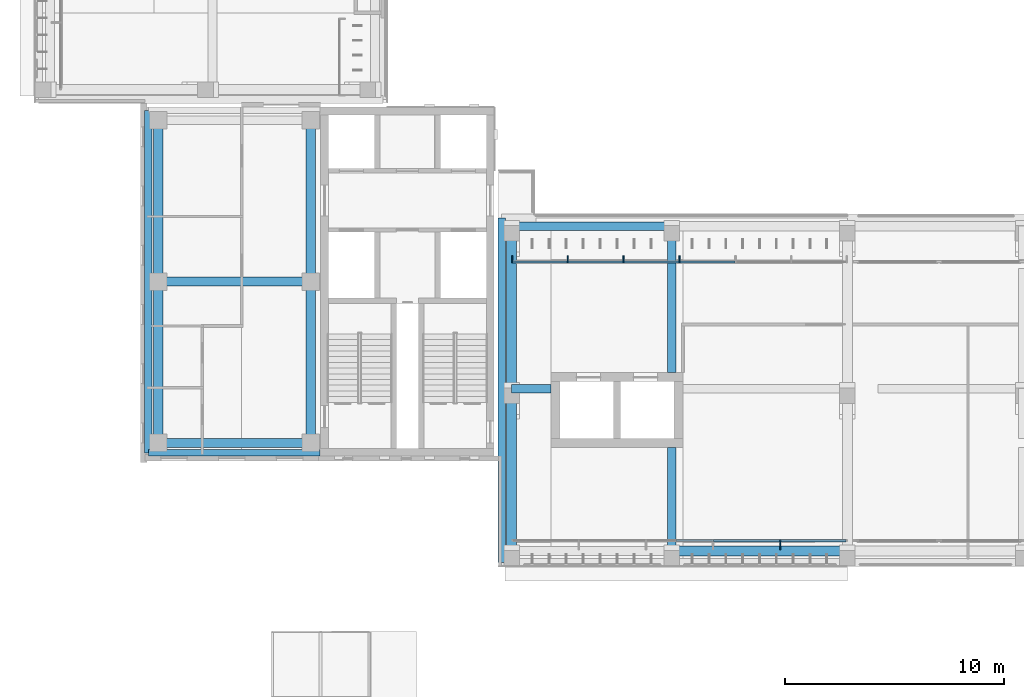
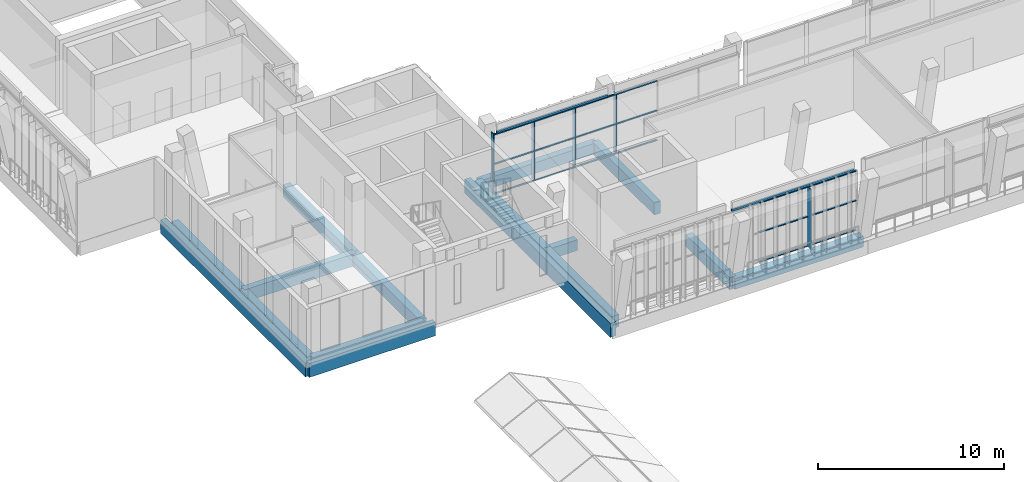
# One storey, part 3 of 73: 23 members, 18 beams, 2 elements without a shape of their own.
"""IFC4 building model written with IfcOpenShell, lengths in metres."""

import ifcopenshell
import ifcopenshell.guid

model = None  # the IFC model being written
_history = None  # IfcOwnerHistory: only IFC2X3 demands one
_inside = {}  # id of a spatial element -> (the spatial element, [elements in it])
_under = {}  # id of a project, library or spatial element -> (it, [spatial elements below it])
_declared = {}  # id of a project -> (the project, [libraries it declares])
_typed = {}  # id of a type object -> (the type object, [elements of that type])
_made_of = {}  # id of a material, layer set ... -> (it, [elements and type objects made of it])


def new_model(schema):
    """Start an empty IFC model of exactly this schema.

    Asked for "IFC4X3", IfcOpenShell would pick the latest addendum, in which some entities
    have other attributes; the version numbers below select the first issue.
    IFC2X3 requires an IfcOwnerHistory on every rooted entity: one is made here for all.
    """
    global model, _history
    if schema == "IFC4X3":
        model = ifcopenshell.file(schema_version=(4, 3, 0, 0))
    else:
        model = ifcopenshell.file(schema=schema)
    _inside.clear()
    _under.clear()
    _declared.clear()
    _typed.clear()
    _made_of.clear()
    _history = None
    if model.schema == "IFC2X3":
        org = make("IfcOrganization", Name="unknown")
        user = make(
            "IfcPersonAndOrganization",
            ThePerson=make("IfcPerson", FamilyName="unknown"),
            TheOrganization=org,
        )
        app = make(
            "IfcApplication",
            ApplicationDeveloper=org,
            Version="unknown",
            ApplicationFullName="unknown",
            ApplicationIdentifier="unknown",
        )
        _history = make(
            "IfcOwnerHistory",
            OwningUser=user,
            OwningApplication=app,
            ChangeAction="ADDED",
            CreationDate=0,
        )
    return model


def make(cls, **values):
    """One entity of the class cls with the attributes given. An attribute that is None is left unset."""
    return model.create_entity(
        cls, **{name: value for name, value in values.items() if value is not None}
    )


def rooted(cls, **values):
    """An entity with a GlobalId (a new one), such as an element, a storey or a relation."""
    return make(cls, GlobalId=ifcopenshell.guid.new(), OwnerHistory=_history, **values)


def si_unit(unit_type, name, prefix=None):
    """IfcSIUnit, for example si_unit("LENGTHUNIT", "METRE", prefix="MILLI")."""
    return make("IfcSIUnit", UnitType=unit_type, Prefix=prefix, Name=name)


def assignment(units):
    """IfcUnitAssignment: the units of a project."""
    return None if units is None else make("IfcUnitAssignment", Units=units)


def point(xyz):
    """IfcCartesianPoint."""
    return None if xyz is None else make("IfcCartesianPoint", Coordinates=xyz)


def direction(xyz):
    """IfcDirection."""
    return None if xyz is None else make("IfcDirection", DirectionRatios=xyz)


def frame(location, z_axis=None, x_axis=None):
    """IfcAxis2Placement3D, a coordinate frame: its origin and axes. An axis left out is left unset."""
    return make(
        "IfcAxis2Placement3D",
        Location=point(location),
        Axis=direction(z_axis),
        RefDirection=direction(x_axis),
    )


def frame_2d(location, x_axis=None):
    """IfcAxis2Placement2D, a coordinate frame in the plane: its origin and x axis."""
    return make(
        "IfcAxis2Placement2D", Location=point(location), RefDirection=direction(x_axis)
    )


def origin():
    """The frame at (0, 0, 0) with its axes left unset."""
    return frame((0.0, 0.0, 0.0))


def origin_2d():
    """The frame at (0, 0) in the plane with its x axis left unset."""
    return frame_2d((0.0, 0.0))


def place(relative_to, where):
    """IfcLocalPlacement: puts the frame where relative to a parent placement (None: the world)."""
    return make(
        "IfcLocalPlacement", PlacementRelTo=relative_to, RelativePlacement=where
    )


def context(
    kind, dimensions, precision=None, world=None, true_north=None, identifier=None
):
    """IfcGeometricRepresentationContext, for example the 3D "Model" context."""
    return make(
        "IfcGeometricRepresentationContext",
        ContextIdentifier=identifier,
        ContextType=kind,
        CoordinateSpaceDimension=dimensions,
        Precision=precision,
        WorldCoordinateSystem=world,
        TrueNorth=true_north,
    )


def subcontext(parent, identifier, kind, view, scale=None):
    """IfcGeometricRepresentationSubContext, for example "Body" below "Model"."""
    return make(
        "IfcGeometricRepresentationSubContext",
        ContextIdentifier=identifier,
        ContextType=kind,
        ParentContext=parent,
        TargetScale=scale,
        TargetView=view,
    )


def project(units=None, contexts=None):
    """IfcProject with its units and contexts."""
    return rooted(
        "IfcProject",
        Name="project",
        RepresentationContexts=contexts,
        UnitsInContext=assignment(units),
    )


def spatial(cls, under=None, at=None, **own):
    """A site, building, storey or space (cls), placed at a placement, below another one or the project."""
    s = rooted(cls, ObjectPlacement=at, **own)
    if under is not None:
        _under.setdefault(under.id(), (under, []))[1].append(s)
    return s


def profile(cls, at=None, kind="AREA", **sizes):
    """A parametric profile (cls). Its sizes go by their IFC names, for example OverallWidth=200.0."""
    return make(cls, ProfileType=kind, Position=at, **sizes)


def rectangle(**sizes):
    """IfcRectangleProfileDef."""
    return profile("IfcRectangleProfileDef", **sizes)


def hollow_rectangle(**sizes):
    """IfcRectangleHollowProfileDef."""
    return profile("IfcRectangleHollowProfileDef", **sizes)


def extrude(swept, where, along, depth):
    """IfcExtrudedAreaSolid: the profile swept, set in the frame where, extruded along a direction by depth."""
    return make(
        "IfcExtrudedAreaSolid",
        SweptArea=swept,
        Position=where,
        ExtrudedDirection=direction(along),
        Depth=depth,
    )


def shape(context_of_items, identifier, shape_type, items):
    """IfcShapeRepresentation: the items that make up one representation, for example the "Body"."""
    return make(
        "IfcShapeRepresentation",
        ContextOfItems=context_of_items,
        RepresentationIdentifier=identifier,
        RepresentationType=shape_type,
        Items=items,
    )


def material(Name=None, Category=None):
    """IfcMaterial."""
    return make("IfcMaterial", Name=Name, Category=Category)


def material_profile(
    of_material, cross_section, Name=None, Category=None, Priority=None
):
    """IfcMaterialProfile: a cross section and its material."""
    return make(
        "IfcMaterialProfile",
        Name=Name,
        Material=of_material,
        Profile=cross_section,
        Priority=Priority,
        Category=Category,
    )


def profile_set(profiles, Name=None, composite=None):
    """IfcMaterialProfileSet."""
    return make(
        "IfcMaterialProfileSet",
        Name=Name,
        MaterialProfiles=profiles,
        CompositeProfile=composite,
    )


def made_of(thing, what):
    """Note that an element or type object is made of a material, layer set ...; save() writes the relation."""
    if what is not None:
        _made_of.setdefault(what.id(), (what, []))[1].append(thing)
    return thing


def type_object(cls, material=None, **own):
    """A type object (cls), such as IfcWallType, which elements share."""
    return made_of(rooted(cls, **own), material)


def element(
    cls,
    number,
    at=None,
    inside=None,
    cuts=None,
    type_object=None,
    material=None,
    context=None,
    identifier="Body",
    shape_type=None,
    held_by="IfcProductDefinitionShape",
    body=None,
    shapes=None,
    **own,
):
    """One element of the class cls, such as IfcWall. Its Tag is "e" and its number.

    at: its placement. inside: the storey or other place that contains it. cuts: it is an
    opening in that element (IfcRelVoidsElement). A single representation is given by context,
    identifier, shape_type and body (its items); several are given by shapes. held_by: the class
    of the entity that holds the representations. save() writes the other relations.
    """
    e = rooted(cls, Tag="e%d" % number, ObjectPlacement=at, **own)
    if body is not None:
        shapes = [shape(context, identifier, shape_type, body)]
    if shapes is not None:
        e.Representation = make(held_by, Representations=shapes)
    if inside is not None:
        _inside.setdefault(inside.id(), (inside, []))[1].append(e)
    if cuts is not None:
        rooted(
            "IfcRelVoidsElement", RelatingBuildingElement=cuts, RelatedOpeningElement=e
        )
    if type_object is not None:
        _typed.setdefault(type_object.id(), (type_object, []))[1].append(e)
    return made_of(e, material)


def aggregate(whole, parts):
    """IfcRelAggregates: a whole, such as a stair, and the parts it consists of."""
    return rooted("IfcRelAggregates", RelatingObject=whole, RelatedObjects=parts)


def save(model, path):
    """Write the relations noted so far, then the file.

    IfcRelAggregates (storeys below a building ...), IfcRelContainedInSpatialStructure (elements
    in a storey), IfcRelDefinesByType, IfcRelAssociatesMaterial and IfcRelDeclares: one each for
    every whole, place, type object, material and project.
    """
    for whole, parts in _under.values():
        aggregate(whole, parts)
    for where, things in _inside.values():
        rooted(
            "IfcRelContainedInSpatialStructure",
            RelatedElements=things,
            RelatingStructure=where,
        )
    for kind, things in _typed.values():
        rooted("IfcRelDefinesByType", RelatedObjects=things, RelatingType=kind)
    for what, things in _made_of.values():
        rooted("IfcRelAssociatesMaterial", RelatedObjects=things, RelatingMaterial=what)
    for by, libraries in _declared.values():
        rooted("IfcRelDeclares", RelatingContext=by, RelatedDefinitions=libraries)
    model.write(path)


model = new_model("IFC4")

# Units and contexts
model_context = context("Model", 3, precision=1e-05, world=origin(), true_north=direction((0.0, 1.0)))
body_context = subcontext(model_context, "Body", "Model", "MODEL_VIEW")
ifc_project = project(units=[si_unit("LENGTHUNIT", "METRE"), si_unit("AREAUNIT", "SQUARE_METRE"), si_unit("VOLUMEUNIT", "CUBIC_METRE"), si_unit("PLANEANGLEUNIT", "RADIAN"), si_unit("MASSUNIT", "GRAM", prefix="KILO")], contexts=[model_context])

# Site, building, storey
site_placement = place(None, origin())
site = spatial("IfcSite", under=ifc_project, at=site_placement, CompositionType="ELEMENT")
building_placement = place(site_placement, origin())
building = spatial("IfcBuilding", under=site, at=building_placement, Name="Lantern Court Media Centre", CompositionType="ELEMENT")
storey_placement = place(building_placement, frame((0.0, 0.0, 24.0)))
storey = spatial("IfcBuildingStorey", under=building, at=storey_placement, Name="L05", CompositionType="ELEMENT", Elevation=24.0)

# Curtain wall, members
ifc_material_1 = material(Name="Curtain wall bay 2400")
curtain_wall_type_1 = type_object("IfcCurtainWallType", Name="Curtain wall bay 2400", PredefinedType="NOTDEFINED", material=ifc_material_1)
curtain_wall_1_placement = place(storey_placement, origin())
curtain_wall_1 = element("IfcCurtainWall", 1, at=curtain_wall_1_placement, inside=storey, type_object=curtain_wall_type_1, Name="Curtain wall S inner L05", PredefinedType="NOTDEFINED")
ifc_material_2 = material(Name="Anodised aluminium", Category="aluminium")
ifc_material_profile_1 = material_profile(ifc_material_2, rectangle(XDim=0.300048828125, YDim=0.050048828125, at=origin_2d()), Name="AL 50x300")
ifc_profile_set_1 = profile_set([ifc_material_profile_1], Name="Anodised aluminium")
member_type_1 = type_object("IfcMemberType", Name="Curtain wall mullion 50x300", PredefinedType="MULLION", material=ifc_profile_set_1)
member_1_placement = place(storey_placement, frame((24.72509765625, 56.969970703125, 0.0), z_axis=(0.0, 0.0, 1.0), x_axis=(0.0, 1.0, 0.0)))
member_1 = element("IfcMember", 2, at=member_1_placement, type_object=member_type_1, Name="CW2 mullion 1", PredefinedType="MULLION", context=body_context, shape_type="SweptSolid", body=[
    extrude(rectangle(XDim=0.300048828125, YDim=0.050048828125, at=origin_2d()), origin(), (0.0, 0.0, 1.0), 3.949951171875),
])
member_2_placement = place(storey_placement, frame((27.25, 56.969970703125, 0.0), z_axis=(0.0, 0.0, 1.0), x_axis=(0.0, 1.0, 0.0)))
member_2 = element("IfcMember", 3, at=member_2_placement, type_object=member_type_1, Name="CW2 mullion 2", PredefinedType="MULLION", context=body_context, shape_type="SweptSolid", body=[
    extrude(rectangle(XDim=0.300048828125, YDim=0.050048828125, at=origin_2d()), origin(), (0.0, 0.0, 1.0), 3.949951171875),
])
member_3_placement = place(storey_placement, frame((29.800048828125, 56.969970703125, 0.0), z_axis=(0.0, 0.0, 1.0), x_axis=(0.0, 1.0, 0.0)))
member_3 = element("IfcMember", 4, at=member_3_placement, type_object=member_type_1, Name="CW2 mullion 3", PredefinedType="MULLION", context=body_context, shape_type="SweptSolid", body=[
    extrude(rectangle(XDim=0.300048828125, YDim=0.050048828125, at=origin_2d()), origin(), (0.0, 0.0, 1.0), 3.949951171875),
])
member_4_placement = place(storey_placement, frame((32.35009765625, 56.969970703125, 0.0), z_axis=(0.0, 0.0, 1.0), x_axis=(0.0, 1.0, 0.0)))
member_4 = element("IfcMember", 5, at=member_4_placement, type_object=member_type_1, Name="CW2 mullion 4", PredefinedType="MULLION", context=body_context, shape_type="SweptSolid", body=[
    extrude(rectangle(XDim=0.300048828125, YDim=0.050048828125, at=origin_2d()), origin(), (0.0, 0.0, 1.0), 3.949951171875),
])

# Curtain wall, member
ifc_material_3 = material(Name="Curtain wall bay 3000")
curtain_wall_type_2 = type_object("IfcCurtainWallType", Name="Curtain wall bay 3000", PredefinedType="NOTDEFINED", material=ifc_material_3)
curtain_wall_2_placement = place(storey_placement, origin())
curtain_wall_2 = element("IfcCurtainWall", 6, at=curtain_wall_2_placement, inside=storey, type_object=curtain_wall_type_2, Name="Curtain wall S outer L05", PredefinedType="NOTDEFINED")
ifc_material_profile_2 = material_profile(ifc_material_2, rectangle(XDim=0.449951171875, YDim=0.06005859375, at=origin_2d()), Name="AL 60x450")
ifc_profile_set_2 = profile_set([ifc_material_profile_2], Name="Anodised aluminium")
member_type_2 = type_object("IfcMemberType", Name="Curtain wall mullion 60x450", PredefinedType="MULLION", material=ifc_profile_set_2)
member_5_placement = place(storey_placement, frame((36.93994140625, 43.955078125, 0.0), z_axis=(0.0, 0.0, 1.0), x_axis=(0.0, 1.0, 0.0)))
member_5 = element("IfcMember", 7, at=member_5_placement, type_object=member_type_2, Name="CW1 mullion 5", PredefinedType="MULLION", context=body_context, shape_type="SweptSolid", body=[
    extrude(rectangle(XDim=0.449951171875, YDim=0.06005859375, at=origin_2d()), origin(), (0.0, 0.0, 1.0), 3.949951171875),
])

# Member
ifc_material_profile_3 = material_profile(ifc_material_2, rectangle(XDim=0.10009765625, YDim=0.050048828125, at=origin_2d()), Name="AL 50x100")
ifc_profile_set_3 = profile_set([ifc_material_profile_3], Name="Anodised aluminium")
member_type_3 = type_object("IfcMemberType", Name="Curtain wall transom 100x50", PredefinedType="USERDEFINED", material=ifc_profile_set_3)
member_6_placement = place(storey_placement, frame((24.75, 56.85009765625, 0.02490234375), z_axis=(1.0, 0.0, 0.0), x_axis=(0.0, 1.0, 0.0)))
member_6 = element("IfcMember", 8, at=member_6_placement, type_object=member_type_3, Name="CW2 transom 1.1", ObjectType="TRANSOM", PredefinedType="USERDEFINED", context=body_context, shape_type="SweptSolid", body=[
    extrude(rectangle(XDim=0.10009765625, YDim=0.050048828125, at=origin_2d()), origin(), (0.0, 0.0, 1.0), 2.47509765625),
])

member_7_placement = place(storey_placement, frame((24.75, 56.85009765625, 1.97509765625), z_axis=(1.0, 0.0, 0.0), x_axis=(0.0, 1.0, 0.0)))
member_7 = element("IfcMember", 9, at=member_7_placement, type_object=member_type_3, Name="CW2 transom 1.2", ObjectType="TRANSOM", PredefinedType="USERDEFINED", context=body_context, shape_type="SweptSolid", body=[
    extrude(rectangle(XDim=0.10009765625, YDim=0.050048828125, at=origin_2d()), origin(), (0.0, 0.0, 1.0), 2.47509765625),
])

member_8_placement = place(storey_placement, frame((24.75, 56.85009765625, 3.925048828125), z_axis=(1.0, 0.0, 0.0), x_axis=(0.0, 1.0, 0.0)))
member_8 = element("IfcMember", 10, at=member_8_placement, type_object=member_type_3, Name="CW2 transom 1.3", ObjectType="TRANSOM", PredefinedType="USERDEFINED", context=body_context, shape_type="SweptSolid", body=[
    extrude(rectangle(XDim=0.10009765625, YDim=0.050048828125, at=origin_2d()), origin(), (0.0, 0.0, 1.0), 2.47509765625),
])

member_9_placement = place(storey_placement, frame((27.27490234375, 56.85009765625, 0.02490234375), z_axis=(1.0, 0.0, 0.0), x_axis=(0.0, 1.0, 0.0)))
member_9 = element("IfcMember", 11, at=member_9_placement, type_object=member_type_3, Name="CW2 transom 2.1", ObjectType="TRANSOM", PredefinedType="USERDEFINED", context=body_context, shape_type="SweptSolid", body=[
    extrude(rectangle(XDim=0.10009765625, YDim=0.050048828125, at=origin_2d()), origin(), (0.0, 0.0, 1.0), 2.5),
])

member_10_placement = place(storey_placement, frame((27.27490234375, 56.85009765625, 1.97509765625), z_axis=(1.0, 0.0, 0.0), x_axis=(0.0, 1.0, 0.0)))
member_10 = element("IfcMember", 12, at=member_10_placement, type_object=member_type_3, Name="CW2 transom 2.2", ObjectType="TRANSOM", PredefinedType="USERDEFINED", context=body_context, shape_type="SweptSolid", body=[
    extrude(rectangle(XDim=0.10009765625, YDim=0.050048828125, at=origin_2d()), origin(), (0.0, 0.0, 1.0), 2.5),
])

member_11_placement = place(storey_placement, frame((27.27490234375, 56.85009765625, 3.925048828125), z_axis=(1.0, 0.0, 0.0), x_axis=(0.0, 1.0, 0.0)))
member_11 = element("IfcMember", 13, at=member_11_placement, type_object=member_type_3, Name="CW2 transom 2.3", ObjectType="TRANSOM", PredefinedType="USERDEFINED", context=body_context, shape_type="SweptSolid", body=[
    extrude(rectangle(XDim=0.10009765625, YDim=0.050048828125, at=origin_2d()), origin(), (0.0, 0.0, 1.0), 2.5),
])

member_12_placement = place(storey_placement, frame((29.824951171875, 56.85009765625, 0.02490234375), z_axis=(1.0, 0.0, 0.0), x_axis=(0.0, 1.0, 0.0)))
member_12 = element("IfcMember", 14, at=member_12_placement, type_object=member_type_3, Name="CW2 transom 3.1", ObjectType="TRANSOM", PredefinedType="USERDEFINED", context=body_context, shape_type="SweptSolid", body=[
    extrude(rectangle(XDim=0.10009765625, YDim=0.050048828125, at=origin_2d()), origin(), (0.0, 0.0, 1.0), 2.5),
])

member_13_placement = place(storey_placement, frame((29.824951171875, 56.85009765625, 1.97509765625), z_axis=(1.0, 0.0, 0.0), x_axis=(0.0, 1.0, 0.0)))
member_13 = element("IfcMember", 15, at=member_13_placement, type_object=member_type_3, Name="CW2 transom 3.2", ObjectType="TRANSOM", PredefinedType="USERDEFINED", context=body_context, shape_type="SweptSolid", body=[
    extrude(rectangle(XDim=0.10009765625, YDim=0.050048828125, at=origin_2d()), origin(), (0.0, 0.0, 1.0), 2.5),
])

member_14_placement = place(storey_placement, frame((29.824951171875, 56.85009765625, 3.925048828125), z_axis=(1.0, 0.0, 0.0), x_axis=(0.0, 1.0, 0.0)))
member_14 = element("IfcMember", 16, at=member_14_placement, type_object=member_type_3, Name="CW2 transom 3.3", ObjectType="TRANSOM", PredefinedType="USERDEFINED", context=body_context, shape_type="SweptSolid", body=[
    extrude(rectangle(XDim=0.10009765625, YDim=0.050048828125, at=origin_2d()), origin(), (0.0, 0.0, 1.0), 2.5),
])

member_15_placement = place(storey_placement, frame((32.375, 56.85009765625, 0.02490234375), z_axis=(1.0, 0.0, 0.0), x_axis=(0.0, 1.0, 0.0)))
member_15 = element("IfcMember", 17, at=member_15_placement, type_object=member_type_3, Name="CW2 transom 4.1", ObjectType="TRANSOM", PredefinedType="USERDEFINED", context=body_context, shape_type="SweptSolid", body=[
    extrude(rectangle(XDim=0.10009765625, YDim=0.050048828125, at=origin_2d()), origin(), (0.0, 0.0, 1.0), 2.5),
])

member_16_placement = place(storey_placement, frame((32.375, 56.85009765625, 1.97509765625), z_axis=(1.0, 0.0, 0.0), x_axis=(0.0, 1.0, 0.0)))
member_16 = element("IfcMember", 18, at=member_16_placement, type_object=member_type_3, Name="CW2 transom 4.2", ObjectType="TRANSOM", PredefinedType="USERDEFINED", context=body_context, shape_type="SweptSolid", body=[
    extrude(rectangle(XDim=0.10009765625, YDim=0.050048828125, at=origin_2d()), origin(), (0.0, 0.0, 1.0), 2.5),
])

member_17_placement = place(storey_placement, frame((32.375, 56.85009765625, 3.925048828125), z_axis=(1.0, 0.0, 0.0), x_axis=(0.0, 1.0, 0.0)))
member_17 = element("IfcMember", 19, at=member_17_placement, type_object=member_type_3, Name="CW2 transom 4.3", ObjectType="TRANSOM", PredefinedType="USERDEFINED", context=body_context, shape_type="SweptSolid", body=[
    extrude(rectangle(XDim=0.10009765625, YDim=0.050048828125, at=origin_2d()), origin(), (0.0, 0.0, 1.0), 2.5),
])

aggregate(curtain_wall_1, [member_1, member_2, member_3, member_4, member_6, member_7, member_8, member_9, member_10, member_11, member_12, member_13, member_14, member_15, member_16, member_17])

ifc_material_profile_4 = material_profile(ifc_material_2, rectangle(XDim=0.1201171875, YDim=0.06005859375, at=origin_2d()), Name="AL 60x120")
ifc_profile_set_4 = profile_set([ifc_material_profile_4], Name="Anodised aluminium")
member_type_4 = type_object("IfcMemberType", Name="Curtain wall transom 60x120", PredefinedType="USERDEFINED", material=ifc_profile_set_4)
member_18_placement = place(storey_placement, frame((33.909912109375, 44.14990234375, 0.030029296875), z_axis=(1.0, 0.0, 0.0), x_axis=(0.0, 1.0, 0.0)))
member_18 = element("IfcMember", 20, at=member_18_placement, type_object=member_type_4, Name="CW1 transom 4.1", ObjectType="TRANSOM", PredefinedType="USERDEFINED", context=body_context, shape_type="SweptSolid", body=[
    extrude(rectangle(XDim=0.1201171875, YDim=0.06005859375, at=origin_2d()), origin(), (0.0, 0.0, 1.0), 3.0),
])

member_19_placement = place(storey_placement, frame((33.909912109375, 44.14990234375, 1.97509765625), z_axis=(1.0, 0.0, 0.0), x_axis=(0.0, 1.0, 0.0)))
member_19 = element("IfcMember", 21, at=member_19_placement, type_object=member_type_4, Name="CW1 transom 4.2", ObjectType="TRANSOM", PredefinedType="USERDEFINED", context=body_context, shape_type="SweptSolid", body=[
    extrude(rectangle(XDim=0.1201171875, YDim=0.06005859375, at=origin_2d()), origin(), (0.0, 0.0, 1.0), 3.0),
])

member_20_placement = place(storey_placement, frame((33.909912109375, 44.14990234375, 3.919921875), z_axis=(1.0, 0.0, 0.0), x_axis=(0.0, 1.0, 0.0)))
member_20 = element("IfcMember", 22, at=member_20_placement, type_object=member_type_4, Name="CW1 transom 4.3", ObjectType="TRANSOM", PredefinedType="USERDEFINED", context=body_context, shape_type="SweptSolid", body=[
    extrude(rectangle(XDim=0.1201171875, YDim=0.06005859375, at=origin_2d()), origin(), (0.0, 0.0, 1.0), 3.0),
])

member_21_placement = place(storey_placement, frame((36.969970703125, 44.14990234375, 0.030029296875), z_axis=(1.0, 0.0, 0.0), x_axis=(0.0, 1.0, 0.0)))
member_21 = element("IfcMember", 23, at=member_21_placement, type_object=member_type_4, Name="CW1 transom 5.1", ObjectType="TRANSOM", PredefinedType="USERDEFINED", context=body_context, shape_type="SweptSolid", body=[
    extrude(rectangle(XDim=0.1201171875, YDim=0.06005859375, at=origin_2d()), origin(), (0.0, 0.0, 1.0), 2.969970703125),
])

member_22_placement = place(storey_placement, frame((36.969970703125, 44.14990234375, 1.97509765625), z_axis=(1.0, 0.0, 0.0), x_axis=(0.0, 1.0, 0.0)))
member_22 = element("IfcMember", 24, at=member_22_placement, type_object=member_type_4, Name="CW1 transom 5.2", ObjectType="TRANSOM", PredefinedType="USERDEFINED", context=body_context, shape_type="SweptSolid", body=[
    extrude(rectangle(XDim=0.1201171875, YDim=0.06005859375, at=origin_2d()), origin(), (0.0, 0.0, 1.0), 2.969970703125),
])

member_23_placement = place(storey_placement, frame((36.969970703125, 44.14990234375, 3.919921875), z_axis=(1.0, 0.0, 0.0), x_axis=(0.0, 1.0, 0.0)))
member_23 = element("IfcMember", 25, at=member_23_placement, type_object=member_type_4, Name="CW1 transom 5.3", ObjectType="TRANSOM", PredefinedType="USERDEFINED", context=body_context, shape_type="SweptSolid", body=[
    extrude(rectangle(XDim=0.1201171875, YDim=0.06005859375, at=origin_2d()), origin(), (0.0, 0.0, 1.0), 2.969970703125),
])

aggregate(curtain_wall_2, [member_5, member_18, member_19, member_20, member_21, member_22, member_23])

# Beams
ifc_material_4 = material(Name="Steel S355J2 (EN 10025-2)", Category="steel")
ifc_material_profile_5 = material_profile(ifc_material_4, hollow_rectangle(XDim=0.10009765625, YDim=0.14990234375, WallThickness=0.00634765625, InnerFilletRadius=0.00634765625, OuterFilletRadius=0.009521484375, at=origin_2d()), Name="Facade head lintel RHS 150x100x6.3")
ifc_profile_set_5 = profile_set([ifc_material_profile_5], Name="Steel S355J2 (EN 10025-2)")
beam_type_1 = type_object("IfcBeamType", Name="Facade head lintel RHS 150x100x6.3", PredefinedType="BEAM", material=ifc_profile_set_5)
beam_1_placement = place(storey_placement, frame((32.199951171875, 44.14990234375, 4.02490234375), z_axis=(1.0, 0.0, 0.0), x_axis=(0.0, 1.0, 0.0)))
element("IfcBeam", 26, at=beam_1_placement, inside=storey, type_object=beam_type_1, Name="Facade head lintel S L05", PredefinedType="BEAM", context=body_context, shape_type="SweptSolid", body=[
    extrude(hollow_rectangle(XDim=0.10009765625, YDim=0.14990234375, WallThickness=0.00634765625, InnerFilletRadius=0.00634765625, OuterFilletRadius=0.009521484375, at=origin_2d()), origin(), (0.0, 0.0, 1.0), 7.60009765625),
])
beam_2_placement = place(storey_placement, frame((24.89990234375, 56.85009765625, 4.02490234375), z_axis=(1.0, 0.0, 0.0), x_axis=(0.0, 1.0, 0.0)))
element("IfcBeam", 27, at=beam_2_placement, inside=storey, type_object=beam_type_1, Name="Facade head lintel S L05", PredefinedType="BEAM", context=body_context, shape_type="SweptSolid", body=[
    extrude(hollow_rectangle(XDim=0.10009765625, YDim=0.14990234375, WallThickness=0.00634765625, InnerFilletRadius=0.00634765625, OuterFilletRadius=0.009521484375, at=origin_2d()), origin(), (0.0, 0.0, 1.0), 6.900146484375),
])
ifc_material_5 = material(Name="Concrete C35", Category="concrete")
ifc_material_profile_6 = material_profile(ifc_material_5, rectangle(XDim=0.300048828125, YDim=0.89990234375, at=origin_2d()), Name="RC 300x900")
ifc_profile_set_6 = profile_set([ifc_material_profile_6], Name="Concrete C35")
beam_type_2 = type_object("IfcBeamType", Name="RC BEAM 300x900", PredefinedType="BEAM", material=ifc_profile_set_6)
beam_3_placement = place(storey_placement, frame((8.14990234375, 48.14990234375, -0.449951171875), z_axis=(1.0, 0.0, 0.0), x_axis=(0.0, 1.0, 0.0)))
element("IfcBeam", 28, at=beam_3_placement, inside=storey, type_object=beam_type_2, Name="EB-SW-L05-S", PredefinedType="BEAM", context=body_context, shape_type="SweptSolid", body=[
    extrude(rectangle(XDim=0.300048828125, YDim=0.89990234375, at=origin_2d()), origin(), (0.0, 0.0, 1.0), 7.830078125),
])
ifc_material_profile_7 = material_profile(ifc_material_5, rectangle(XDim=0.35009765625, YDim=0.89990234375, at=origin_2d()), Name="RC 350x900")
ifc_profile_set_7 = profile_set([ifc_material_profile_7], Name="Concrete C35")
beam_type_3 = type_object("IfcBeamType", Name="RC BEAM 350x900", PredefinedType="BEAM", material=ifc_profile_set_7)
beam_4_placement = place(storey_placement, frame((8.14990234375, 48.14990234375, -0.449951171875), z_axis=(0.0, 1.0, 0.0), x_axis=(-1.0, 0.0, 0.0)))
element("IfcBeam", 29, at=beam_4_placement, inside=storey, type_object=beam_type_3, Name="EB-SW-L05-W", PredefinedType="BEAM", context=body_context, shape_type="SweptSolid", body=[
    extrude(rectangle(XDim=0.35009765625, YDim=0.89990234375, at=origin_2d()), origin(), (0.0, 0.0, 1.0), 15.60009765625),
])
beam_5_placement = place(storey_placement, frame((24.25, 43.14990234375, -0.449951171875), z_axis=(0.0, 1.0, 0.0), x_axis=(-1.0, 0.0, 0.0)))
element("IfcBeam", 30, at=beam_5_placement, inside=storey, type_object=beam_type_3, Name="EB-S-L05-C", PredefinedType="BEAM", context=body_context, shape_type="SweptSolid", body=[
    extrude(rectangle(XDim=0.35009765625, YDim=0.89990234375, at=origin_2d()), origin(), (0.0, 0.0, 1.0), 15.7001953125),
])
ifc_material_profile_8 = material_profile(ifc_material_5, rectangle(XDim=0.39990234375, YDim=0.699951171875, at=origin_2d()), Name="RC 400x700")
ifc_profile_set_8 = profile_set([ifc_material_profile_8], Name="Concrete C35")
beam_type_4 = type_object("IfcBeamType", Name="RC BEAM 400x700", PredefinedType="BEAM", material=ifc_profile_set_8)
beam_6_placement = place(storey_placement, frame((24.699951171875, 51.072998046875, -0.35009765625), z_axis=(1.0, 0.0, 0.0), x_axis=(0.0, 1.0, 0.0)))
element("IfcBeam", 31, at=beam_6_placement, inside=storey, type_object=beam_type_4, Name="LB-S-L05-1-0", PredefinedType="BEAM", context=body_context, shape_type="SweptSolid", body=[
    extrude(rectangle(XDim=0.39990234375, YDim=0.699951171875, at=origin_2d()), origin(), (0.0, 0.0, 1.0), 1.800048828125),
])
beam_7_placement = place(storey_placement, frame((24.699951171875, 58.472900390625, -0.35009765625), z_axis=(1.0, 0.0, 0.0), x_axis=(0.0, 1.0, 0.0)))
element("IfcBeam", 32, at=beam_7_placement, inside=storey, type_object=beam_type_4, Name="LB-S-L05-2-0", PredefinedType="BEAM", context=body_context, shape_type="SweptSolid", body=[
    extrude(rectangle(XDim=0.39990234375, YDim=0.699951171875, at=origin_2d()), origin(), (0.0, 0.0, 1.0), 7.300048828125),
])
ifc_material_profile_9 = material_profile(ifc_material_5, rectangle(XDim=0.39990234375, YDim=0.800048828125, at=origin_2d()), Name="RC 400x800")
ifc_profile_set_9 = profile_set([ifc_material_profile_9], Name="Concrete C35")
beam_type_5 = type_object("IfcBeamType", Name="RC BEAM 400x800", PredefinedType="BEAM", material=ifc_profile_set_9)
for number, where, z_axis, x_axis, name in (
    (33, (8.60009765625, 48.60009765625, -0.39990234375), (1.0, 0.0, 0.0), (0.0, 1.0, 0.0), "BB-SW-L05-Y0-48"),
    (34, (8.60009765625, 55.949951171875, -0.39990234375), (1.0, 0.0, 0.0), (0.0, 1.0, 0.0), "BB-SW-L05-Y0-55"),
):
    element("IfcBeam", number, at=place(storey_placement, frame(where, z_axis=z_axis, x_axis=x_axis)), inside=storey, type_object=beam_type_5, Name=name, PredefinedType="BEAM", context=body_context, shape_type="SweptSolid", body=[
        extrude(rectangle(XDim=0.39990234375, YDim=0.800048828125, at=origin_2d()), origin(), (0.0, 0.0, 1.0), 6.949951171875),
    ])
beam_8_placement = place(storey_placement, frame((32.0, 43.683349609375, -0.39990234375), z_axis=(0.0, 1.0, 0.0), x_axis=(-1.0, 0.0, 0.0)))
element("IfcBeam", 35, at=beam_8_placement, inside=storey, type_object=beam_type_5, Name="TB-S-L05-1-1", PredefinedType="BEAM", context=body_context, shape_type="SweptSolid", body=[
    extrude(rectangle(XDim=0.39990234375, YDim=0.800048828125, at=origin_2d()), origin(), (0.0, 0.0, 1.0), 4.716552734375),
])
beam_9_placement = place(storey_placement, frame((32.0, 51.800048828125, -0.39990234375), z_axis=(0.0, 1.0, 0.0), x_axis=(-1.0, 0.0, 0.0)))
element("IfcBeam", 36, at=beam_9_placement, inside=storey, type_object=beam_type_5, Name="TB-S-L05-1-11", PredefinedType="BEAM", context=body_context, shape_type="SweptSolid", body=[
    extrude(rectangle(XDim=0.39990234375, YDim=0.800048828125, at=origin_2d()), origin(), (0.0, 0.0, 1.0), 6.683349609375),
])
ifc_material_profile_10 = material_profile(ifc_material_5, rectangle(XDim=0.449951171875, YDim=0.699951171875, at=origin_2d()), Name="RC 450x700")
ifc_profile_set_10 = profile_set([ifc_material_profile_10], Name="Concrete C35")
beam_type_6 = type_object("IfcBeamType", Name="RC BEAM 450x700", PredefinedType="BEAM", material=ifc_profile_set_10)
beam_10_placement = place(storey_placement, frame((32.0, 43.6728515625, -0.35009765625), z_axis=(1.0, 0.0, 0.0), x_axis=(0.0, 1.0, 0.0)))
element("IfcBeam", 37, at=beam_10_placement, inside=storey, type_object=beam_type_6, Name="LB-S-L05-0-1", PredefinedType="BEAM", context=body_context, shape_type="SweptSolid", body=[
    extrude(rectangle(XDim=0.449951171875, YDim=0.699951171875, at=origin_2d()), origin(), (0.0, 0.0, 1.0), 8.0),
])
ifc_material_profile_11 = material_profile(ifc_material_5, rectangle(XDim=0.449951171875, YDim=0.800048828125, at=origin_2d()), Name="RC 450x800")
ifc_profile_set_11 = profile_set([ifc_material_profile_11], Name="Concrete C35")
beam_type_7 = type_object("IfcBeamType", Name="RC BEAM 450x800", PredefinedType="BEAM", material=ifc_profile_set_11)
beam_11_placement = place(storey_placement, frame((8.60009765625, 48.60009765625, -0.39990234375), z_axis=(0.0, 1.0, 0.0), x_axis=(-1.0, 0.0, 0.0)))
element("IfcBeam", 38, at=beam_11_placement, inside=storey, type_object=beam_type_7, Name="BB-SW-L05-X0-8", PredefinedType="BEAM", context=body_context, shape_type="SweptSolid", body=[
    extrude(rectangle(XDim=0.449951171875, YDim=0.800048828125, at=origin_2d()), origin(), (0.0, 0.0, 1.0), 7.349853515625),
])
beam_12_placement = place(storey_placement, frame((8.60009765625, 55.949951171875, -0.39990234375), z_axis=(0.0, 1.0, 0.0), x_axis=(-1.0, 0.0, 0.0)))
element("IfcBeam", 39, at=beam_12_placement, inside=storey, type_object=beam_type_7, Name="BB-SW-L05-X1-8", PredefinedType="BEAM", context=body_context, shape_type="SweptSolid", body=[
    extrude(rectangle(XDim=0.449951171875, YDim=0.800048828125, at=origin_2d()), origin(), (0.0, 0.0, 1.0), 7.35009765625),
])
beam_13_placement = place(storey_placement, frame((15.550048828125, 48.60009765625, -0.39990234375), z_axis=(0.0, 1.0, 0.0), x_axis=(-1.0, 0.0, 0.0)))
element("IfcBeam", 40, at=beam_13_placement, inside=storey, type_object=beam_type_7, Name="BB-SW-L05-X0-15", PredefinedType="BEAM", context=body_context, shape_type="SweptSolid", body=[
    extrude(rectangle(XDim=0.449951171875, YDim=0.800048828125, at=origin_2d()), origin(), (0.0, 0.0, 1.0), 7.349853515625),
])
beam_14_placement = place(storey_placement, frame((15.550048828125, 55.949951171875, -0.39990234375), z_axis=(0.0, 1.0, 0.0), x_axis=(-1.0, 0.0, 0.0)))
element("IfcBeam", 41, at=beam_14_placement, inside=storey, type_object=beam_type_7, Name="BB-SW-L05-X1-15", PredefinedType="BEAM", context=body_context, shape_type="SweptSolid", body=[
    extrude(rectangle(XDim=0.449951171875, YDim=0.800048828125, at=origin_2d()), origin(), (0.0, 0.0, 1.0), 7.35009765625),
])
beam_15_placement = place(storey_placement, frame((24.699951171875, 43.683349609375, -0.39990234375), z_axis=(0.0, 1.0, 0.0), x_axis=(-1.0, 0.0, 0.0)))
element("IfcBeam", 42, at=beam_15_placement, inside=storey, type_object=beam_type_7, Name="TB-S-L05-0-1", PredefinedType="BEAM", context=body_context, shape_type="SweptSolid", body=[
    extrude(rectangle(XDim=0.449951171875, YDim=0.800048828125, at=origin_2d()), origin(), (0.0, 0.0, 1.0), 7.39990234375),
])
beam_16_placement = place(storey_placement, frame((24.699951171875, 51.083251953125, -0.39990234375), z_axis=(0.0, 1.0, 0.0), x_axis=(-1.0, 0.0, 0.0)))
element("IfcBeam", 43, at=beam_16_placement, inside=storey, type_object=beam_type_7, Name="TB-S-L05-0-2", PredefinedType="BEAM", context=body_context, shape_type="SweptSolid", body=[
    extrude(rectangle(XDim=0.449951171875, YDim=0.800048828125, at=origin_2d()), origin(), (0.0, 0.0, 1.0), 7.400146484375),
])

save(model, "model.ifc")
